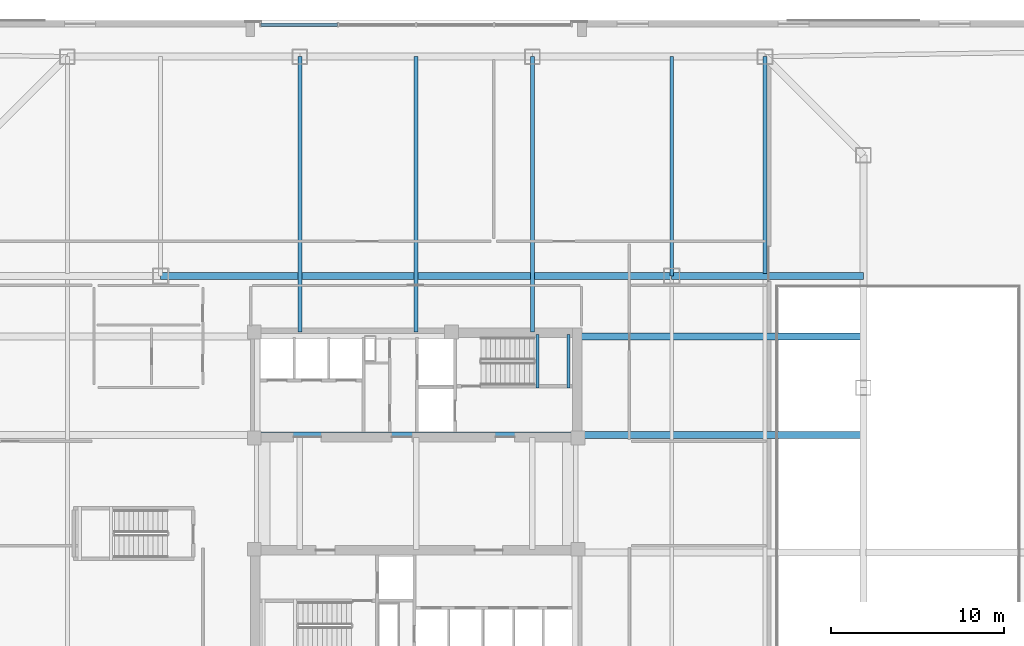
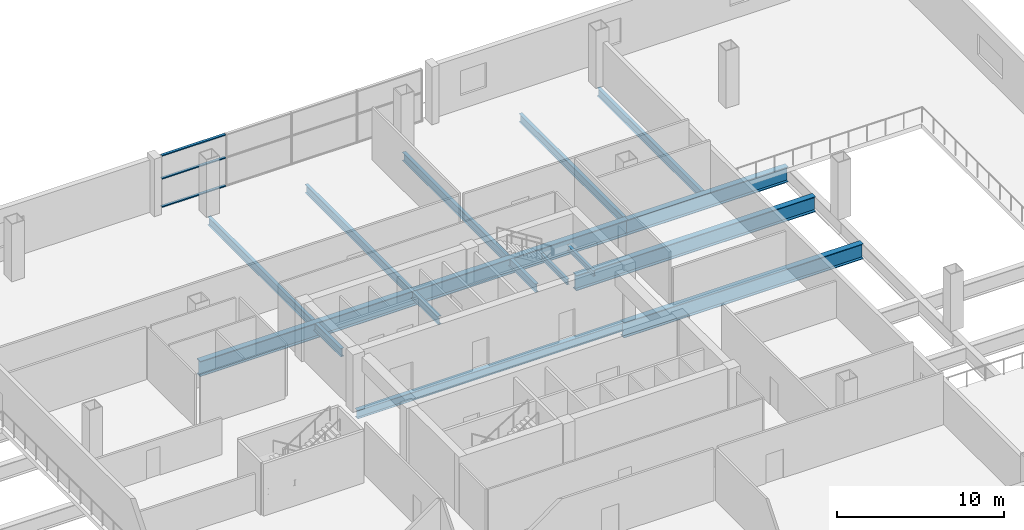
# One storey, part 9 of 21: 12 beams, 3 members, 1 element without a shape of its own.
"""IFC4 building model written with IfcOpenShell, lengths in metres."""

from ifc_helpers import new_model, si_unit, direction, frame, origin, origin_2d, place, context, subcontext, project, spatial, hollow_rectangle, i_section, extrude, material, layer, layer_set, material_profile, profile_set, type_object, element, aggregate, save


model = new_model("IFC4")

# Units and contexts
model_context = context("Model", 3, precision=1e-05, world=origin(), true_north=direction((0.0, 1.0)))
body_context = subcontext(model_context, "Body", "Model", "MODEL_VIEW")
ifc_project = project(units=[si_unit("LENGTHUNIT", "METRE"), si_unit("AREAUNIT", "SQUARE_METRE"), si_unit("VOLUMEUNIT", "CUBIC_METRE"), si_unit("PLANEANGLEUNIT", "RADIAN"), si_unit("MASSUNIT", "GRAM", prefix="KILO")], contexts=[model_context])

# Site, building, storey
site_placement = place(None, origin())
site = spatial("IfcSite", under=ifc_project, at=site_placement, CompositionType="ELEMENT")
building_placement = place(site_placement, origin())
building = spatial("IfcBuilding", under=site, at=building_placement, Name="Qhalaya Broadcast Tower", CompositionType="ELEMENT")
storey_placement = place(building_placement, frame((0.0, 0.0, 17.699951171875)))
storey = spatial("IfcBuildingStorey", under=building, at=storey_placement, Name="L04", CompositionType="ELEMENT", Elevation=17.699951171875)

# Beams
ifc_material_1 = material(Name="Structural Steel ASTM A992 Grade 50", Category="steel")
ifc_material_profile_1 = material_profile(ifc_material_1, i_section(OverallWidth=0.22802734375, OverallDepth=0.60693359375, WebThickness=0.01123046875, FlangeThickness=0.017333984375, at=origin_2d()), Name="W24X76")
ifc_profile_set_1 = profile_set([ifc_material_profile_1], Name="Structural Steel ASTM A992 Grade 50")
beam_type_1 = type_object("IfcBeamType", Name="Composite Floor Joist J01", PredefinedType="JOIST", material=ifc_profile_set_1)
for number, where, z_axis, x_axis, name in (
    (1, (-6.7333984375, 9.949951171875, -0.62353515625), (0.0, 1.0, 0.0), (-1.0, 0.0, 0.0), "L04 J01 L04-JS-CN-6.7"),
    (2, (0.0, 9.949951171875, -0.62353515625), (0.0, 1.0, 0.0), (-1.0, 0.0, 0.0), "L04 J01 L04-JS-CN+0.0"),
    (3, (6.7333984375, 9.949951171875, -0.62353515625), (0.0, 1.0, 0.0), (-1.0, 0.0, 0.0), "L04 J01 L04-JS-CN+6.7"),
):
    element("IfcBeam", number, at=place(storey_placement, frame(where, z_axis=z_axis, x_axis=x_axis)), inside=storey, type_object=beam_type_1, Name=name, PredefinedType="JOIST", context=body_context, shape_type="SweptSolid", body=[
        extrude(i_section(OverallWidth=0.22802734375, OverallDepth=0.60693359375, WebThickness=0.01123046875, FlangeThickness=0.017333984375, at=origin_2d()), origin(), (0.0, 0.0, 1.0), 15.949951171875),
    ])
beam_1_placement = place(storey_placement, frame((14.800048828125, 13.199951171875, -0.62353515625), z_axis=(0.0, 1.0, 0.0), x_axis=(-1.0, 0.0, 0.0)))
element("IfcBeam", 4, at=beam_1_placement, inside=storey, type_object=beam_type_1, Name="L04 J01 L04-JS-N+14.8", PredefinedType="JOIST", context=body_context, shape_type="SweptSolid", body=[
    extrude(i_section(OverallWidth=0.22802734375, OverallDepth=0.60693359375, WebThickness=0.01123046875, FlangeThickness=0.017333984375, at=origin_2d()), origin(), (0.0, 0.0, 1.0), 12.699951171875),
])
beam_2_placement = place(storey_placement, frame((20.199951171875, 13.340087890625, -0.62353515625), z_axis=(0.0, 1.0, 0.0), x_axis=(-1.0, 0.0, 0.0)))
element("IfcBeam", 5, at=beam_2_placement, inside=storey, type_object=beam_type_1, Name="L04 J01 L04-JS-N+20.2", PredefinedType="JOIST", context=body_context, shape_type="SweptSolid", body=[
    extrude(i_section(OverallWidth=0.22802734375, OverallDepth=0.60693359375, WebThickness=0.01123046875, FlangeThickness=0.017333984375, at=origin_2d()), origin(), (0.0, 0.0, 1.0), 12.559814453125),
])
ifc_material_profile_2 = material_profile(ifc_material_1, i_section(OverallWidth=0.323974609375, OverallDepth=0.612060546875, WebThickness=0.0126953125, FlangeThickness=0.01904296875, at=origin_2d()), Name="W24X104")
ifc_profile_set_2 = profile_set([ifc_material_profile_2], Name="Structural Steel ASTM A992 Grade 50")
beam_type_2 = type_object("IfcBeamType", Name="Core Frame Tie Beam B04", PredefinedType="BEAM", material=ifc_profile_set_2)
beam_3_placement = place(storey_placement, frame((-9.199951171875, 4.0, -0.6259765625), z_axis=(1.0, 0.0, 0.0), x_axis=(0.0, 1.0, 0.0)))
element("IfcBeam", 6, at=beam_3_placement, inside=storey, type_object=beam_type_2, Name="L04 B04 L04-CCN1", PredefinedType="BEAM", context=body_context, shape_type="SweptSolid", body=[
    extrude(i_section(OverallWidth=0.323974609375, OverallDepth=0.612060546875, WebThickness=0.0126953125, FlangeThickness=0.01904296875, at=origin_2d()), origin(), (0.0, 0.0, 1.0), 18.39990234375),
])
ifc_material_profile_3 = material_profile(ifc_material_1, i_section(OverallWidth=0.404052734375, OverallDepth=1.117919921875, WebThickness=0.026123046875, FlangeThickness=0.044921875, at=origin_2d()), Name="W44X335")
ifc_profile_set_3 = profile_set([ifc_material_profile_3], Name="Structural Steel ASTM A992 Grade 50")
beam_type_3 = type_object("IfcBeamType", Name="Podium Long-Span Primary Girder PG1", PredefinedType="USERDEFINED", material=ifc_profile_set_3)
beam_4_placement = place(storey_placement, frame((-14.800048828125, 13.199951171875, -0.87890625), z_axis=(1.0, 0.0, 0.0), x_axis=(0.0, 1.0, 0.0)))
element("IfcBeam", 7, at=beam_4_placement, inside=storey, type_object=beam_type_3, Name="L04 PG1 L04-PG-GN3", ObjectType="GIRDER", PredefinedType="USERDEFINED", context=body_context, shape_type="SweptSolid", body=[
    extrude(i_section(OverallWidth=0.404052734375, OverallDepth=1.117919921875, WebThickness=0.026123046875, FlangeThickness=0.044921875, at=origin_2d()), origin(), (0.0, 0.0, 1.0), 29.60009765625),
])
beam_5_placement = place(storey_placement, frame((14.800048828125, 13.199951171875, -0.87890625), z_axis=(1.0, 0.0, 0.0), x_axis=(0.0, 1.0, 0.0)))
element("IfcBeam", 8, at=beam_5_placement, inside=storey, type_object=beam_type_3, Name="L04 PG1 L04-PG-GN4", ObjectType="GIRDER", PredefinedType="USERDEFINED", context=body_context, shape_type="SweptSolid", body=[
    extrude(i_section(OverallWidth=0.404052734375, OverallDepth=1.117919921875, WebThickness=0.026123046875, FlangeThickness=0.044921875, at=origin_2d()), origin(), (0.0, 0.0, 1.0), 11.099853515625),
])
for number, where, z_axis, x_axis, name in (
    (9, (9.199951171875, 4.0, -0.87890625), (1.0, 0.0, 0.0), (0.0, 1.0, 0.0), "L04 PG1 L04-PG-E3A"),
    (10, (9.199951171875, 9.699951171875, -0.87890625), (1.0, 0.0, 0.0), (0.0, 1.0, 0.0), "L04 PG1 L04-PG-E4A"),
):
    element("IfcBeam", number, at=place(storey_placement, frame(where, z_axis=z_axis, x_axis=x_axis)), inside=storey, type_object=beam_type_3, Name=name, ObjectType="GIRDER", PredefinedType="USERDEFINED", context=body_context, shape_type="SweptSolid", body=[
        extrude(i_section(OverallWidth=0.404052734375, OverallDepth=1.117919921875, WebThickness=0.026123046875, FlangeThickness=0.044921875, at=origin_2d()), origin(), (0.0, 0.0, 1.0), 16.56005859375),
    ])

# Curtain wall, members
ifc_material_2 = material(Name="Solar-Control Low-E Triple Glazing", Category="glass")
ifc_layer = layer(ifc_material_2, 0.219970703125, Name="Solar-Control Low-E Triple Glazing")
ifc_layer_set = layer_set([ifc_layer], Name="Solar-Control Low-E Triple Glazing")
curtain_wall_type = type_object("IfcCurtainWallType", Name="Podium Concourse Triple-Height Glazed Portal CW-01", PredefinedType="NOTDEFINED", material=ifc_layer_set)
curtain_wall_placement = place(storey_placement, origin())
curtain_wall = element("IfcCurtainWall", 11, at=curtain_wall_placement, inside=storey, type_object=curtain_wall_type, Name="L04 Unitised Curtain Wall L04-CW01-N", PredefinedType="NOTDEFINED")
ifc_material_3 = material(Name="Anodised Aluminium 6063-T6", Category="aluminium")
ifc_material_profile_4 = material_profile(ifc_material_3, hollow_rectangle(XDim=0.074951171875, YDim=0.179931640625, WallThickness=0.00390625, at=origin_2d()), Name="ALU-TRN 75x180x4")
ifc_profile_set_4 = profile_set([ifc_material_profile_4], Name="Anodised Aluminium 6063-T6")
member_type = type_object("IfcMemberType", Name="Unitised Curtain-Wall Transom T01", PredefinedType="USERDEFINED", material=ifc_profile_set_4)
member_1_placement = place(storey_placement, frame((-4.5625, 27.75, 0.03759765625), z_axis=(-1.0, 0.0, 0.0), x_axis=(0.0, 0.0, 1.0)))
member_1 = element("IfcMember", 12, at=member_1_placement, type_object=member_type, Name="CW-01 transom 4.1", ObjectType="TRANSOM", PredefinedType="USERDEFINED", context=body_context, shape_type="SweptSolid", body=[
    extrude(hollow_rectangle(XDim=0.074951171875, YDim=0.179931640625, WallThickness=0.00390625, at=origin_2d()), origin(), (0.0, 0.0, 1.0), 4.41259765625),
])
member_2_placement = place(storey_placement, frame((-4.5625, 27.75, 2.10107421875), z_axis=(-1.0, 0.0, 0.0), x_axis=(0.0, 0.0, 1.0)))
member_2 = element("IfcMember", 13, at=member_2_placement, type_object=member_type, Name="CW-01 transom 4.2", ObjectType="TRANSOM", PredefinedType="USERDEFINED", context=body_context, shape_type="SweptSolid", body=[
    extrude(hollow_rectangle(XDim=0.074951171875, YDim=0.179931640625, WallThickness=0.00390625, at=origin_2d()), origin(), (0.0, 0.0, 1.0), 4.41259765625),
])
member_3_placement = place(storey_placement, frame((-4.5625, 27.75, 3.782470703125), z_axis=(-1.0, 0.0, 0.0), x_axis=(0.0, 0.0, 1.0)))
member_3 = element("IfcMember", 14, at=member_3_placement, type_object=member_type, Name="CW-01 transom 4.3", ObjectType="TRANSOM", PredefinedType="USERDEFINED", context=body_context, shape_type="SweptSolid", body=[
    extrude(hollow_rectangle(XDim=0.074951171875, YDim=0.179931640625, WallThickness=0.00390625, at=origin_2d()), origin(), (0.0, 0.0, 1.0), 4.41259765625),
])
aggregate(curtain_wall, [member_1, member_2, member_3])

# Beams
ifc_material_profile_5 = material_profile(ifc_material_1, i_section(OverallWidth=0.177978515625, OverallDepth=0.406005859375, WebThickness=0.0078125, FlangeThickness=0.0126953125, at=origin_2d()), Name="W16X40")
ifc_profile_set_5 = profile_set([ifc_material_profile_5], Name="Structural Steel ASTM A992 Grade 50")
beam_type_4 = type_object("IfcBeamType", Name="Upper Perimeter Spandrel Beam SP2", PredefinedType="SPANDREL", material=ifc_profile_set_5)
for number, where, z_axis, x_axis, name in (
    (15, (7.014892578125, 6.699951171875, 1.697021484375), (0.0, 1.0, 0.0), (-1.0, 0.0, 0.0), "L04 ST-1 Half-Landing Bearer Beam 1"),
    (16, (8.830078125, 6.699951171875, 1.697021484375), (0.0, 1.0, 0.0), (-1.0, 0.0, 0.0), "L04 ST-1 Half-Landing Bearer Beam 2"),
):
    element("IfcBeam", number, at=place(storey_placement, frame(where, z_axis=z_axis, x_axis=x_axis)), inside=storey, type_object=beam_type_4, Name=name, PredefinedType="SPANDREL", context=body_context, shape_type="SweptSolid", body=[
        extrude(i_section(OverallWidth=0.177978515625, OverallDepth=0.406005859375, WebThickness=0.0078125, FlangeThickness=0.0126953125, at=origin_2d()), origin(), (0.0, 0.0, 1.0), 3.1201171875),
    ])

save(model, "model.ifc")
